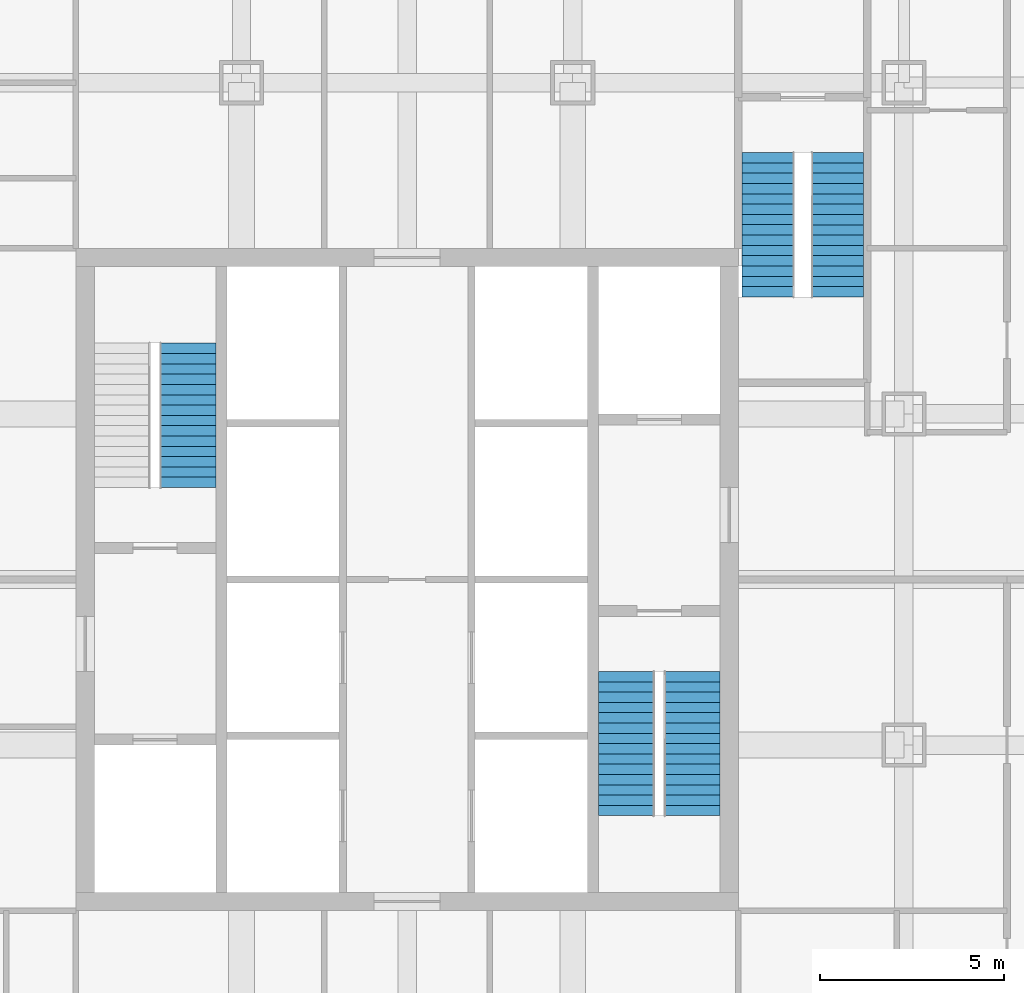
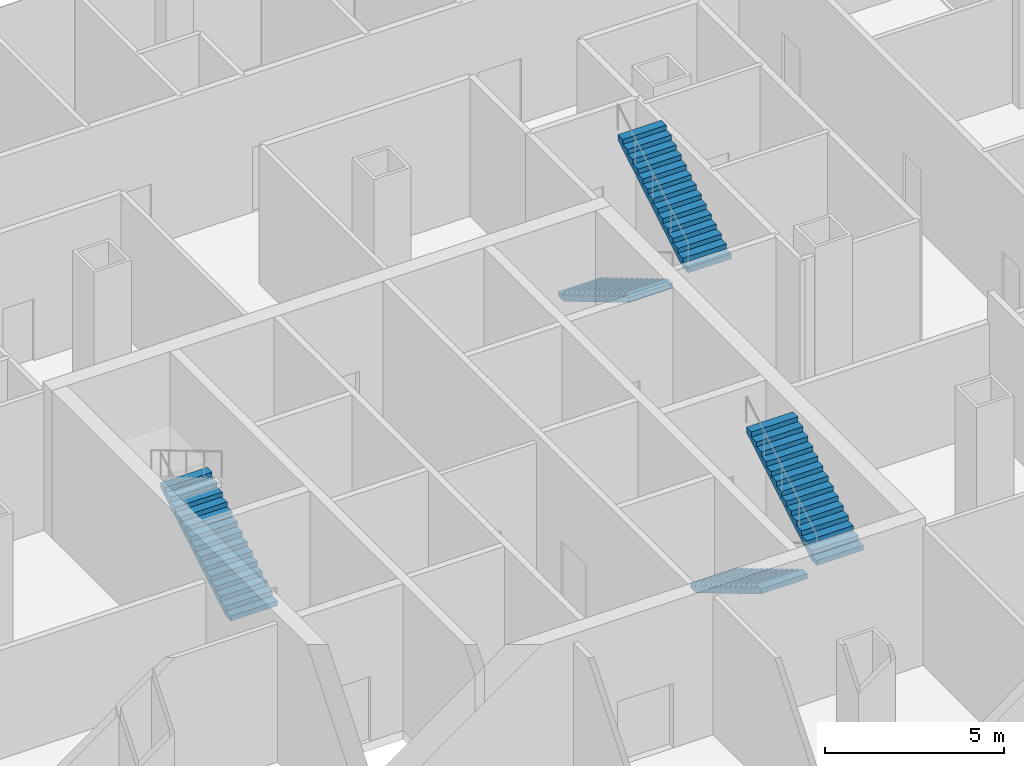
# One storey, part 23 of 28: 5 stair flights, 3 elements without a shape of their own.
"""IFC4 building model written with IfcOpenShell, lengths in metres."""

from ifc_helpers import new_model, si_unit, direction, frame, origin, place, context, subcontext, project, spatial, polyline, outline, extrude, material, type_object, element, aggregate, save


model = new_model("IFC4")

# Units and contexts
model_context = context("Model", 3, precision=1e-05, world=origin(), true_north=direction((0.0, 1.0)))
body_context = subcontext(model_context, "Body", "Model", "MODEL_VIEW")
ifc_project = project(units=[si_unit("LENGTHUNIT", "METRE"), si_unit("AREAUNIT", "SQUARE_METRE"), si_unit("VOLUMEUNIT", "CUBIC_METRE"), si_unit("PLANEANGLEUNIT", "RADIAN"), si_unit("MASSUNIT", "GRAM", prefix="KILO")], contexts=[model_context])

# Site, building, storey
site_placement = place(None, origin())
site = spatial("IfcSite", under=ifc_project, at=site_placement, CompositionType="ELEMENT")
building_placement = place(site_placement, origin())
building = spatial("IfcBuilding", under=site, at=building_placement, Name="Malebo Sky Hospital", CompositionType="ELEMENT")
storey_placement = place(building_placement, frame((0.0, 0.0, 21.0)))
storey = spatial("IfcBuildingStorey", under=building, at=storey_placement, Name="L04", CompositionType="ELEMENT", Elevation=21.0)

# Stair, stair flights
ifc_material = material(Name="Concrete C40/50", Category="concrete")
stair_type_1 = type_object("IfcStairType", Name="HALF-TURN STAIR 1400 R167", PredefinedType="HALF_TURN_STAIR", material=ifc_material)
stair_1_placement = place(storey_placement, origin())
stair_1 = element("IfcStair", 1, at=stair_1_placement, inside=storey, type_object=stair_type_1, Name="Stair S3 L04 type ST1B", PredefinedType="HALF_TURN_STAIR")
stair_flight_type_1 = type_object("IfcStairFlightType", Name="STAIR FLIGHT 1400 R167", PredefinedType="STRAIGHT", material=ifc_material)
stair_flight_1_placement = place(storey_placement, frame((69.800048828125, 73.60009765625, 0.0), z_axis=(0.0, 0.0, 1.0), x_axis=(0.0, -1.0, 0.0)))
stair_flight_1 = element("IfcStairFlight", 2, at=stair_flight_1_placement, type_object=stair_flight_type_1, Name="S3 flight 1 type SF1B", NumberOfRisers=15, NumberOfTreads=14, PredefinedType="STRAIGHT", RiserHeight=0.166666667, TreadLength=0.28, context=body_context, shape_type="SweptSolid", body=[
    extrude(outline(polyline([(0.0, 0.0), (0.0, 0.166748046875), (0.280029296875, 0.166748046875), (0.280029296875, 0.333251953125), (0.56005859375, 0.333251953125), (0.56005859375, 0.5), (0.840087890625, 0.5), (0.840087890625, 0.666748046875), (1.1201171875, 0.666748046875), (1.1201171875, 0.833251953125), (1.39990234375, 0.833251953125), (1.39990234375, 1.0), (1.679931640625, 1.0), (1.679931640625, 1.166748046875), (1.9599609375, 1.166748046875), (1.9599609375, 1.333251953125), (2.239990234375, 1.333251953125), (2.239990234375, 1.5), (2.52001953125, 1.5), (2.52001953125, 1.666748046875), (2.800048828125, 1.666748046875), (2.800048828125, 1.833251953125), (3.080078125, 1.833251953125), (3.080078125, 2.0), (3.360107421875, 2.0), (3.360107421875, 2.166748046875), (3.639892578125, 2.166748046875), (3.639892578125, 2.333251953125), (3.919921875, 2.333251953125), (3.919921875, 2.5), (3.919921875, 2.158935546875), (0.29296875, 0.0), (0.0, 0.0)])), frame((0.0, 0.699951171875, 0.0), z_axis=(0.0, -1.0, 0.0), x_axis=(1.0, 0.0, 0.0)), (0.0, 0.0, 1.0), 1.39990234375),
])
stair_flight_2_placement = place(storey_placement, frame((71.699951171875, 69.679931640625, 2.5), z_axis=(0.0, 0.0, 1.0), x_axis=(0.0, 1.0, 0.0)))
stair_flight_2 = element("IfcStairFlight", 3, at=stair_flight_2_placement, type_object=stair_flight_type_1, Name="S3 flight 2 type SF1B", NumberOfRisers=15, NumberOfTreads=14, PredefinedType="STRAIGHT", RiserHeight=0.166666667, TreadLength=0.28, context=body_context, shape_type="SweptSolid", body=[
    extrude(outline(polyline([(0.0, 0.0), (0.0, 0.166748046875), (0.280029296875, 0.166748046875), (0.280029296875, 0.333251953125), (0.56005859375, 0.333251953125), (0.56005859375, 0.5), (0.840087890625, 0.5), (0.840087890625, 0.666748046875), (1.1201171875, 0.666748046875), (1.1201171875, 0.833251953125), (1.39990234375, 0.833251953125), (1.39990234375, 1.0), (1.679931640625, 1.0), (1.679931640625, 1.166748046875), (1.9599609375, 1.166748046875), (1.9599609375, 1.333251953125), (2.239990234375, 1.333251953125), (2.239990234375, 1.5), (2.52001953125, 1.5), (2.52001953125, 1.666748046875), (2.800048828125, 1.666748046875), (2.800048828125, 1.833251953125), (3.080078125, 1.833251953125), (3.080078125, 2.0), (3.360107421875, 2.0), (3.360107421875, 2.166748046875), (3.639892578125, 2.166748046875), (3.639892578125, 2.333251953125), (3.919921875, 2.333251953125), (3.919921875, 2.5), (3.919921875, 2.158935546875), (0.29296875, 0.0), (0.0, 0.0)])), frame((0.0, 0.699951171875, 0.0), z_axis=(0.0, -1.0, 0.0), x_axis=(1.0, 0.0, 0.0)), (0.0, 0.0, 1.0), 1.39990234375),
])
aggregate(stair_1, [stair_flight_1, stair_flight_2])

# Stair, stair flight
stair_type_2 = type_object("IfcStairType", Name="HALF-TURN STAIR 1500 R167", PredefinedType="HALF_TURN_STAIR", material=ifc_material)
stair_2_placement = place(storey_placement, origin())
stair_2 = element("IfcStair", 4, at=stair_2_placement, inside=storey, type_object=stair_type_2, Name="Stair S1 L04 type ST1", PredefinedType="HALF_TURN_STAIR")
stair_flight_type_2 = type_object("IfcStairFlightType", Name="STAIR FLIGHT 1500 R167", PredefinedType="STRAIGHT", material=ifc_material)
stair_flight_3_placement = place(storey_placement, frame((54.050048828125, 64.5, 0.0), z_axis=(0.0, 0.0, 1.0), x_axis=(0.0, 1.0, 0.0)))
stair_flight_3 = element("IfcStairFlight", 5, at=stair_flight_3_placement, type_object=stair_flight_type_2, Name="S1 flight 1 type SF1", NumberOfRisers=15, NumberOfTreads=14, PredefinedType="STRAIGHT", RiserHeight=0.166666667, TreadLength=0.28, context=body_context, shape_type="SweptSolid", body=[
    extrude(outline(polyline([(0.0, 0.0), (0.0, 0.166748046875), (0.280029296875, 0.166748046875), (0.280029296875, 0.333251953125), (0.56005859375, 0.333251953125), (0.56005859375, 0.5), (0.840087890625, 0.5), (0.840087890625, 0.666748046875), (1.1201171875, 0.666748046875), (1.1201171875, 0.833251953125), (1.39990234375, 0.833251953125), (1.39990234375, 1.0), (1.679931640625, 1.0), (1.679931640625, 1.166748046875), (1.9599609375, 1.166748046875), (1.9599609375, 1.333251953125), (2.239990234375, 1.333251953125), (2.239990234375, 1.5), (2.52001953125, 1.5), (2.52001953125, 1.666748046875), (2.800048828125, 1.666748046875), (2.800048828125, 1.833251953125), (3.080078125, 1.833251953125), (3.080078125, 2.0), (3.360107421875, 2.0), (3.360107421875, 2.166748046875), (3.639892578125, 2.166748046875), (3.639892578125, 2.333251953125), (3.919921875, 2.333251953125), (3.919921875, 2.5), (3.919921875, 2.158935546875), (0.29296875, 0.0), (0.0, 0.0)])), frame((0.0, 0.75, 0.0), z_axis=(0.0, -1.0, 0.0), x_axis=(1.0, 0.0, 0.0)), (0.0, 0.0, 1.0), 1.5),
])
aggregate(stair_2, [stair_flight_3])

# Stair, stair flights
stair_3_placement = place(storey_placement, origin())
stair_3 = element("IfcStair", 6, at=stair_3_placement, inside=storey, type_object=stair_type_2, Name="Stair S2 L04 type ST1", PredefinedType="HALF_TURN_STAIR")
stair_flight_4_placement = place(storey_placement, frame((65.949951171875, 59.5, 0.0), z_axis=(0.0, 0.0, 1.0), x_axis=(0.0, -1.0, 0.0)))
stair_flight_4 = element("IfcStairFlight", 7, at=stair_flight_4_placement, type_object=stair_flight_type_2, Name="S2 flight 1 type SF1", NumberOfRisers=15, NumberOfTreads=14, PredefinedType="STRAIGHT", RiserHeight=0.166666667, TreadLength=0.28, context=body_context, shape_type="SweptSolid", body=[
    extrude(outline(polyline([(0.0, 0.0), (0.0, 0.166748046875), (0.280029296875, 0.166748046875), (0.280029296875, 0.333251953125), (0.56005859375, 0.333251953125), (0.56005859375, 0.5), (0.840087890625, 0.5), (0.840087890625, 0.666748046875), (1.1201171875, 0.666748046875), (1.1201171875, 0.833251953125), (1.39990234375, 0.833251953125), (1.39990234375, 1.0), (1.679931640625, 1.0), (1.679931640625, 1.166748046875), (1.9599609375, 1.166748046875), (1.9599609375, 1.333251953125), (2.239990234375, 1.333251953125), (2.239990234375, 1.5), (2.52001953125, 1.5), (2.52001953125, 1.666748046875), (2.800048828125, 1.666748046875), (2.800048828125, 1.833251953125), (3.080078125, 1.833251953125), (3.080078125, 2.0), (3.360107421875, 2.0), (3.360107421875, 2.166748046875), (3.639892578125, 2.166748046875), (3.639892578125, 2.333251953125), (3.919921875, 2.333251953125), (3.919921875, 2.5), (3.919921875, 2.158935546875), (0.29296875, 0.0), (0.0, 0.0)])), frame((0.0, 0.75, 0.0), z_axis=(0.0, -1.0, 0.0), x_axis=(1.0, 0.0, 0.0)), (0.0, 0.0, 1.0), 1.5),
])
stair_flight_5_placement = place(storey_placement, frame((67.75, 55.580078125, 2.5), z_axis=(0.0, 0.0, 1.0), x_axis=(0.0, 1.0, 0.0)))
stair_flight_5 = element("IfcStairFlight", 8, at=stair_flight_5_placement, type_object=stair_flight_type_2, Name="S2 flight 2 type SF1", NumberOfRisers=15, NumberOfTreads=14, PredefinedType="STRAIGHT", RiserHeight=0.166666667, TreadLength=0.28, context=body_context, shape_type="SweptSolid", body=[
    extrude(outline(polyline([(0.0, 0.0), (0.0, 0.166748046875), (0.280029296875, 0.166748046875), (0.280029296875, 0.333251953125), (0.56005859375, 0.333251953125), (0.56005859375, 0.5), (0.840087890625, 0.5), (0.840087890625, 0.666748046875), (1.1201171875, 0.666748046875), (1.1201171875, 0.833251953125), (1.39990234375, 0.833251953125), (1.39990234375, 1.0), (1.679931640625, 1.0), (1.679931640625, 1.166748046875), (1.9599609375, 1.166748046875), (1.9599609375, 1.333251953125), (2.239990234375, 1.333251953125), (2.239990234375, 1.5), (2.52001953125, 1.5), (2.52001953125, 1.666748046875), (2.800048828125, 1.666748046875), (2.800048828125, 1.833251953125), (3.080078125, 1.833251953125), (3.080078125, 2.0), (3.360107421875, 2.0), (3.360107421875, 2.166748046875), (3.639892578125, 2.166748046875), (3.639892578125, 2.333251953125), (3.919921875, 2.333251953125), (3.919921875, 2.5), (3.919921875, 2.158935546875), (0.29296875, 0.0), (0.0, 0.0)])), frame((0.0, 0.75, 0.0), z_axis=(0.0, -1.0, 0.0), x_axis=(1.0, 0.0, 0.0)), (0.0, 0.0, 1.0), 1.5),
])
aggregate(stair_3, [stair_flight_4, stair_flight_5])

save(model, "model.ifc")
